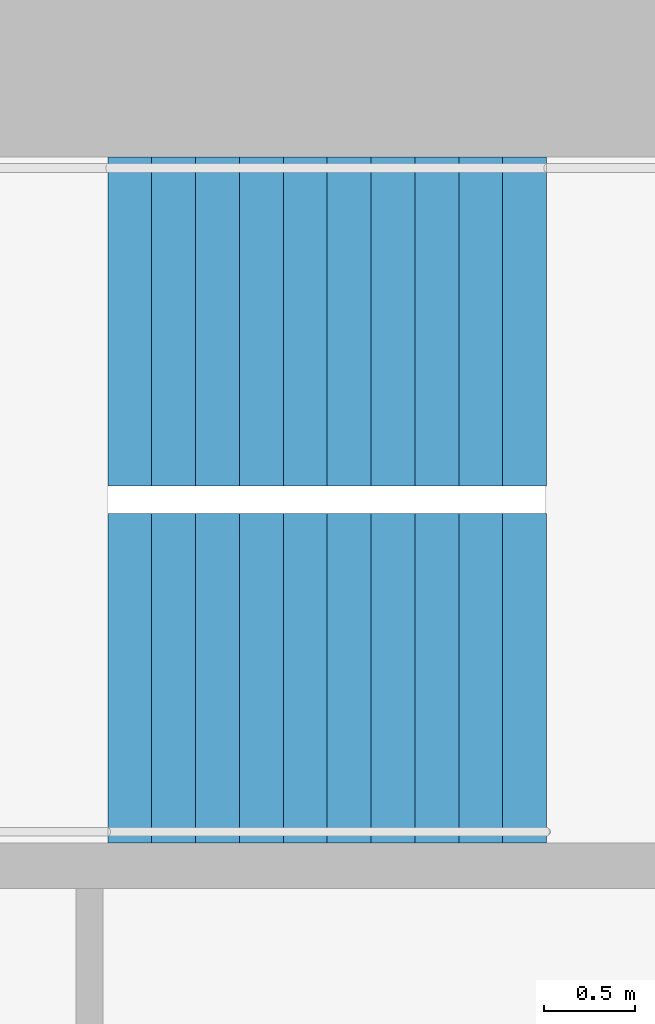
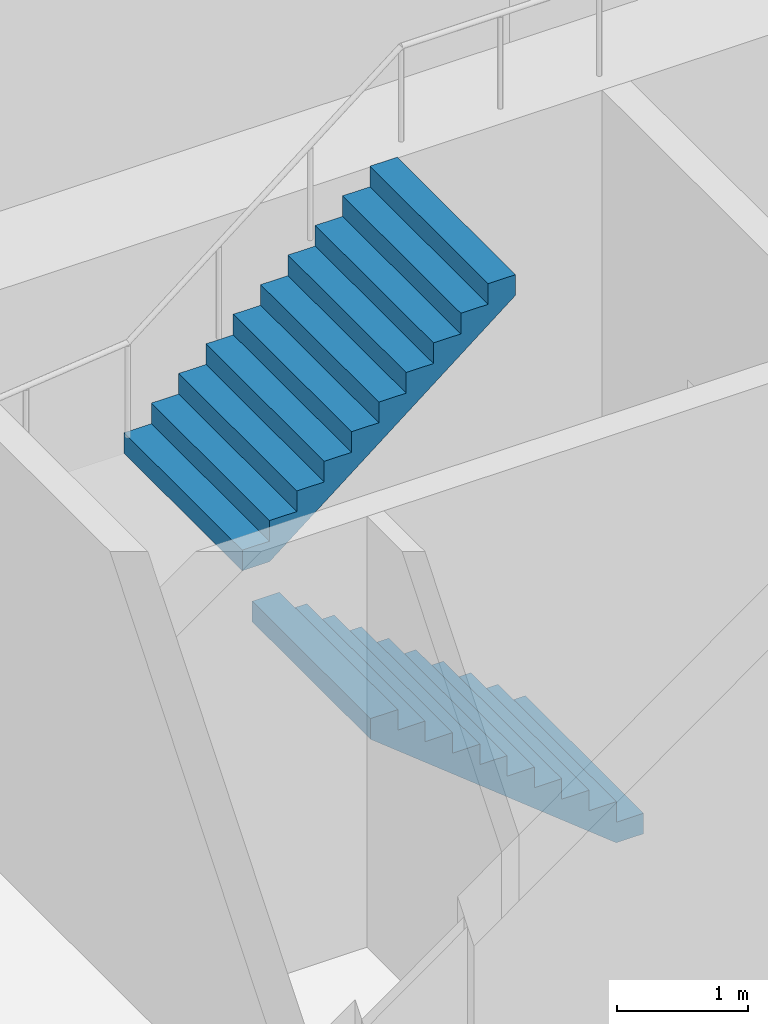
# One storey, part 27 of 28: 2 stair flights, 1 element without a shape of its own.
"""IFC4 building model written with IfcOpenShell, lengths in metres."""

import ifcopenshell
import ifcopenshell.guid

model = None  # the IFC model being written
_history = None  # IfcOwnerHistory: only IFC2X3 demands one
_inside = {}  # id of a spatial element -> (the spatial element, [elements in it])
_under = {}  # id of a project, library or spatial element -> (it, [spatial elements below it])
_declared = {}  # id of a project -> (the project, [libraries it declares])
_typed = {}  # id of a type object -> (the type object, [elements of that type])
_made_of = {}  # id of a material, layer set ... -> (it, [elements and type objects made of it])


def new_model(schema):
    """Start an empty IFC model of exactly this schema.

    Asked for "IFC4X3", IfcOpenShell would pick the latest addendum, in which some entities
    have other attributes; the version numbers below select the first issue.
    IFC2X3 requires an IfcOwnerHistory on every rooted entity: one is made here for all.
    """
    global model, _history
    if schema == "IFC4X3":
        model = ifcopenshell.file(schema_version=(4, 3, 0, 0))
    else:
        model = ifcopenshell.file(schema=schema)
    _inside.clear()
    _under.clear()
    _declared.clear()
    _typed.clear()
    _made_of.clear()
    _history = None
    if model.schema == "IFC2X3":
        org = make("IfcOrganization", Name="unknown")
        user = make(
            "IfcPersonAndOrganization",
            ThePerson=make("IfcPerson", FamilyName="unknown"),
            TheOrganization=org,
        )
        app = make(
            "IfcApplication",
            ApplicationDeveloper=org,
            Version="unknown",
            ApplicationFullName="unknown",
            ApplicationIdentifier="unknown",
        )
        _history = make(
            "IfcOwnerHistory",
            OwningUser=user,
            OwningApplication=app,
            ChangeAction="ADDED",
            CreationDate=0,
        )
    return model


def make(cls, **values):
    """One entity of the class cls with the attributes given. An attribute that is None is left unset."""
    return model.create_entity(
        cls, **{name: value for name, value in values.items() if value is not None}
    )


def rooted(cls, **values):
    """An entity with a GlobalId (a new one), such as an element, a storey or a relation."""
    return make(cls, GlobalId=ifcopenshell.guid.new(), OwnerHistory=_history, **values)


def si_unit(unit_type, name, prefix=None):
    """IfcSIUnit, for example si_unit("LENGTHUNIT", "METRE", prefix="MILLI")."""
    return make("IfcSIUnit", UnitType=unit_type, Prefix=prefix, Name=name)


def assignment(units):
    """IfcUnitAssignment: the units of a project."""
    return None if units is None else make("IfcUnitAssignment", Units=units)


def point(xyz):
    """IfcCartesianPoint."""
    return None if xyz is None else make("IfcCartesianPoint", Coordinates=xyz)


def direction(xyz):
    """IfcDirection."""
    return None if xyz is None else make("IfcDirection", DirectionRatios=xyz)


def frame(location, z_axis=None, x_axis=None):
    """IfcAxis2Placement3D, a coordinate frame: its origin and axes. An axis left out is left unset."""
    return make(
        "IfcAxis2Placement3D",
        Location=point(location),
        Axis=direction(z_axis),
        RefDirection=direction(x_axis),
    )


def origin():
    """The frame at (0, 0, 0) with its axes left unset."""
    return frame((0.0, 0.0, 0.0))


def place(relative_to, where):
    """IfcLocalPlacement: puts the frame where relative to a parent placement (None: the world)."""
    return make(
        "IfcLocalPlacement", PlacementRelTo=relative_to, RelativePlacement=where
    )


def context(
    kind, dimensions, precision=None, world=None, true_north=None, identifier=None
):
    """IfcGeometricRepresentationContext, for example the 3D "Model" context."""
    return make(
        "IfcGeometricRepresentationContext",
        ContextIdentifier=identifier,
        ContextType=kind,
        CoordinateSpaceDimension=dimensions,
        Precision=precision,
        WorldCoordinateSystem=world,
        TrueNorth=true_north,
    )


def subcontext(parent, identifier, kind, view, scale=None):
    """IfcGeometricRepresentationSubContext, for example "Body" below "Model"."""
    return make(
        "IfcGeometricRepresentationSubContext",
        ContextIdentifier=identifier,
        ContextType=kind,
        ParentContext=parent,
        TargetScale=scale,
        TargetView=view,
    )


def project(units=None, contexts=None):
    """IfcProject with its units and contexts."""
    return rooted(
        "IfcProject",
        Name="project",
        RepresentationContexts=contexts,
        UnitsInContext=assignment(units),
    )


def spatial(cls, under=None, at=None, **own):
    """A site, building, storey or space (cls), placed at a placement, below another one or the project."""
    s = rooted(cls, ObjectPlacement=at, **own)
    if under is not None:
        _under.setdefault(under.id(), (under, []))[1].append(s)
    return s


def point_list(points):
    """IfcCartesianPointList2D or 3D."""
    cls = (
        "IfcCartesianPointList2D" if len(points[0]) == 2 else "IfcCartesianPointList3D"
    )
    return make(cls, CoordList=points)


def triangles(points, corners, closed=None, point_numbers=None):
    """IfcTriangulatedFaceSet: each triangle names its three corners, points numbered from 1."""
    return make(
        "IfcTriangulatedFaceSet",
        Coordinates=point_list(points),
        Closed=closed,
        CoordIndex=corners,
        PnIndex=point_numbers,
    )


def shape(context_of_items, identifier, shape_type, items):
    """IfcShapeRepresentation: the items that make up one representation, for example the "Body"."""
    return make(
        "IfcShapeRepresentation",
        ContextOfItems=context_of_items,
        RepresentationIdentifier=identifier,
        RepresentationType=shape_type,
        Items=items,
    )


def material(Name=None, Category=None):
    """IfcMaterial."""
    return make("IfcMaterial", Name=Name, Category=Category)


def made_of(thing, what):
    """Note that an element or type object is made of a material, layer set ...; save() writes the relation."""
    if what is not None:
        _made_of.setdefault(what.id(), (what, []))[1].append(thing)
    return thing


def type_object(cls, material=None, **own):
    """A type object (cls), such as IfcWallType, which elements share."""
    return made_of(rooted(cls, **own), material)


def element(
    cls,
    number,
    at=None,
    inside=None,
    cuts=None,
    type_object=None,
    material=None,
    context=None,
    identifier="Body",
    shape_type=None,
    held_by="IfcProductDefinitionShape",
    body=None,
    shapes=None,
    **own,
):
    """One element of the class cls, such as IfcWall. Its Tag is "e" and its number.

    at: its placement. inside: the storey or other place that contains it. cuts: it is an
    opening in that element (IfcRelVoidsElement). A single representation is given by context,
    identifier, shape_type and body (its items); several are given by shapes. held_by: the class
    of the entity that holds the representations. save() writes the other relations.
    """
    e = rooted(cls, Tag="e%d" % number, ObjectPlacement=at, **own)
    if body is not None:
        shapes = [shape(context, identifier, shape_type, body)]
    if shapes is not None:
        e.Representation = make(held_by, Representations=shapes)
    if inside is not None:
        _inside.setdefault(inside.id(), (inside, []))[1].append(e)
    if cuts is not None:
        rooted(
            "IfcRelVoidsElement", RelatingBuildingElement=cuts, RelatedOpeningElement=e
        )
    if type_object is not None:
        _typed.setdefault(type_object.id(), (type_object, []))[1].append(e)
    return made_of(e, material)


def aggregate(whole, parts):
    """IfcRelAggregates: a whole, such as a stair, and the parts it consists of."""
    return rooted("IfcRelAggregates", RelatingObject=whole, RelatedObjects=parts)


def save(model, path):
    """Write the relations noted so far, then the file.

    IfcRelAggregates (storeys below a building ...), IfcRelContainedInSpatialStructure (elements
    in a storey), IfcRelDefinesByType, IfcRelAssociatesMaterial and IfcRelDeclares: one each for
    every whole, place, type object, material and project.
    """
    for whole, parts in _under.values():
        aggregate(whole, parts)
    for where, things in _inside.values():
        rooted(
            "IfcRelContainedInSpatialStructure",
            RelatedElements=things,
            RelatingStructure=where,
        )
    for kind, things in _typed.values():
        rooted("IfcRelDefinesByType", RelatedObjects=things, RelatingType=kind)
    for what, things in _made_of.values():
        rooted("IfcRelAssociatesMaterial", RelatedObjects=things, RelatingMaterial=what)
    for by, libraries in _declared.values():
        rooted("IfcRelDeclares", RelatingContext=by, RelatedDefinitions=libraries)
    model.write(path)


model = new_model("IFC4")

# Units and contexts
model_context = context("Model", 3, precision=1e-05, world=origin(), true_north=direction((0.0, 1.0)))
body_context = subcontext(model_context, "Body", "Model", "MODEL_VIEW")
ifc_project = project(units=[si_unit("LENGTHUNIT", "METRE"), si_unit("AREAUNIT", "SQUARE_METRE"), si_unit("VOLUMEUNIT", "CUBIC_METRE"), si_unit("PLANEANGLEUNIT", "RADIAN"), si_unit("MASSUNIT", "GRAM", prefix="KILO")], contexts=[model_context])

# Site, building, storey
site_placement = place(None, origin())
site = spatial("IfcSite", under=ifc_project, at=site_placement, CompositionType="ELEMENT")
building_placement = place(site_placement, origin())
building = spatial("IfcBuilding", under=site, at=building_placement, Name="Hakoniwa Tower and Hamabe Station Hall", CompositionType="ELEMENT")
storey_placement = place(building_placement, frame((0.0, 0.0, 280.800048828125)))
storey = spatial("IfcBuildingStorey", under=building, at=storey_placement, Name="L78", CompositionType="ELEMENT", Elevation=280.800048828125)

# Stair, stair flights
ifc_material_1 = material(Name="Concrete C40", Category="concrete")
stair_type = type_object("IfcStairType", Name="ESCAPE STAIR 1800", PredefinedType="HALF_TURN_STAIR", material=ifc_material_1)
stair_placement = place(storey_placement, origin())
stair = element("IfcStair", 1, at=stair_placement, inside=storey, type_object=stair_type, Name="Escape stair ST-3 L78", PredefinedType="HALF_TURN_STAIR")
ifc_material_2 = material(Name="Concrete C40", Category="concrete")
stair_flight_type = type_object("IfcStairFlightType", Name="STAIR FLIGHT 1800", PredefinedType="STRAIGHT", material=ifc_material_2)
stair_flight_1_placement = place(storey_placement, frame((24.39990234375, 4.64990234375, 0.0), z_axis=(0.0, 0.0, 1.0), x_axis=(-1.0, 0.0, 0.0)))
stair_flight_1 = element("IfcStairFlight", 2, at=stair_flight_1_placement, type_object=stair_flight_type, Name="ST-3 flight 1", NumberOfRisers=11, NumberOfTreads=10, PredefinedType="STRAIGHT", RiserHeight=0.190909091, TreadLength=0.24, context=body_context, shape_type="Tessellation", body=[
    triangles([(0.0, 0.89990234375, 0.0), (0.239990234375, 0.89990234375, 0.0), (0.24072265625, 0.89990234375, 0.0), (0.47998046875, 0.89990234375, 0.190185546875), (0.719970703125, 0.89990234375, 0.381103515625), (0.9599609375, 0.89990234375, 0.572021484375), (1.199951171875, 0.89990234375, 0.762939453125), (1.43994140625, 0.89990234375, 0.953857421875), (1.679931640625, 0.89990234375, 1.144775390625), (1.919921875, 0.89990234375, 1.335693359375), (2.159912109375, 0.89990234375, 1.526611328125), (2.39990234375, 0.89990234375, 1.717529296875), (2.39990234375, 0.89990234375, 1.9091796875), (2.159912109375, 0.89990234375, 1.9091796875), (2.159912109375, 0.89990234375, 1.71826171875), (1.919921875, 0.89990234375, 1.71826171875), (1.919921875, 0.89990234375, 1.52734375), (1.679931640625, 0.89990234375, 1.52734375), (1.679931640625, 0.89990234375, 1.33642578125), (1.43994140625, 0.89990234375, 1.33642578125), (1.43994140625, 0.89990234375, 1.1455078125), (1.199951171875, 0.89990234375, 1.1455078125), (1.199951171875, 0.89990234375, 0.95458984375), (0.9599609375, 0.89990234375, 0.95458984375), (0.9599609375, 0.89990234375, 0.763671875), (0.719970703125, 0.89990234375, 0.763671875), (0.719970703125, 0.89990234375, 0.57275390625), (0.47998046875, 0.89990234375, 0.57275390625), (0.47998046875, 0.89990234375, 0.3818359375), (0.24072265625, 0.89990234375, 0.3818359375), (0.239990234375, 0.89990234375, 0.3818359375), (0.239990234375, 0.89990234375, 0.19091796875), (0.0, 0.89990234375, 0.19091796875), (0.0, 0.06005859375, 0.0), (0.239990234375, 0.06005859375, 0.0), (0.24072265625, 0.06005859375, 0.0), (0.47998046875, 0.06005859375, 0.190185546875), (0.719970703125, 0.06005859375, 0.381103515625), (0.9599609375, 0.06005859375, 0.572021484375), (1.199951171875, 0.06005859375, 0.762939453125), (1.43994140625, 0.06005859375, 0.953857421875), (1.679931640625, 0.06005859375, 1.144775390625), (1.919921875, 0.06005859375, 1.335693359375), (2.159912109375, 0.06005859375, 1.526611328125), (2.39990234375, 0.06005859375, 1.717529296875), (2.39990234375, 0.06005859375, 1.9091796875), (2.159912109375, 0.06005859375, 1.9091796875), (2.159912109375, 0.06005859375, 1.71826171875), (1.919921875, 0.06005859375, 1.71826171875), (1.919921875, 0.06005859375, 1.52734375), (1.679931640625, 0.06005859375, 1.52734375), (1.679931640625, 0.06005859375, 1.33642578125), (1.43994140625, 0.06005859375, 1.33642578125), (1.43994140625, 0.06005859375, 1.1455078125), (1.199951171875, 0.06005859375, 1.1455078125), (1.199951171875, 0.06005859375, 0.95458984375), (0.9599609375, 0.06005859375, 0.95458984375), (0.9599609375, 0.06005859375, 0.763671875), (0.719970703125, 0.06005859375, 0.763671875), (0.719970703125, 0.06005859375, 0.57275390625), (0.47998046875, 0.06005859375, 0.57275390625), (0.47998046875, 0.06005859375, 0.3818359375), (0.24072265625, 0.06005859375, 0.3818359375), (0.239990234375, 0.06005859375, 0.3818359375), (0.239990234375, 0.06005859375, 0.19091796875), (0.0, 0.06005859375, 0.19091796875), (0.0, 0.02001953125, 0.0), (0.239990234375, 0.02001953125, 0.0), (0.24072265625, 0.02001953125, 0.0), (0.47998046875, 0.02001953125, 0.190185546875), (0.719970703125, 0.02001953125, 0.381103515625), (0.9599609375, 0.02001953125, 0.572021484375), (1.199951171875, 0.02001953125, 0.762939453125), (1.43994140625, 0.02001953125, 0.953857421875), (1.679931640625, 0.02001953125, 1.144775390625), (1.919921875, 0.02001953125, 1.335693359375), (2.159912109375, 0.02001953125, 1.526611328125), (2.39990234375, 0.02001953125, 1.717529296875), (2.39990234375, 0.02001953125, 1.9091796875), (2.159912109375, 0.02001953125, 1.9091796875), (2.159912109375, 0.02001953125, 1.71826171875), (1.919921875, 0.02001953125, 1.71826171875), (1.919921875, 0.02001953125, 1.52734375), (1.679931640625, 0.02001953125, 1.52734375), (1.679931640625, 0.02001953125, 1.33642578125), (1.43994140625, 0.02001953125, 1.33642578125), (1.43994140625, 0.02001953125, 1.1455078125), (1.199951171875, 0.02001953125, 1.1455078125), (1.199951171875, 0.02001953125, 0.95458984375), (0.9599609375, 0.02001953125, 0.95458984375), (0.9599609375, 0.02001953125, 0.763671875), (0.719970703125, 0.02001953125, 0.763671875), (0.719970703125, 0.02001953125, 0.57275390625), (0.47998046875, 0.02001953125, 0.57275390625), (0.47998046875, 0.02001953125, 0.3818359375), (0.24072265625, 0.02001953125, 0.3818359375), (0.239990234375, 0.02001953125, 0.3818359375), (0.239990234375, 0.02001953125, 0.19091796875), (0.0, 0.02001953125, 0.19091796875), (0.0, -0.02001953125, 0.0), (0.239990234375, -0.02001953125, 0.0), (0.24072265625, -0.02001953125, 0.0), (0.47998046875, -0.02001953125, 0.190185546875), (0.719970703125, -0.02001953125, 0.381103515625), (0.9599609375, -0.02001953125, 0.572021484375), (1.199951171875, -0.02001953125, 0.762939453125), (1.43994140625, -0.02001953125, 0.953857421875), (1.679931640625, -0.02001953125, 1.144775390625), (1.919921875, -0.02001953125, 1.335693359375), (2.159912109375, -0.02001953125, 1.526611328125), (2.39990234375, -0.02001953125, 1.717529296875), (2.39990234375, -0.02001953125, 1.9091796875), (2.159912109375, -0.02001953125, 1.9091796875), (2.159912109375, -0.02001953125, 1.71826171875), (1.919921875, -0.02001953125, 1.71826171875), (1.919921875, -0.02001953125, 1.52734375), (1.679931640625, -0.02001953125, 1.52734375), (1.679931640625, -0.02001953125, 1.33642578125), (1.43994140625, -0.02001953125, 1.33642578125), (1.43994140625, -0.02001953125, 1.1455078125), (1.199951171875, -0.02001953125, 1.1455078125), (1.199951171875, -0.02001953125, 0.95458984375), (0.9599609375, -0.02001953125, 0.95458984375), (0.9599609375, -0.02001953125, 0.763671875), (0.719970703125, -0.02001953125, 0.763671875), (0.719970703125, -0.02001953125, 0.57275390625), (0.47998046875, -0.02001953125, 0.57275390625), (0.47998046875, -0.02001953125, 0.3818359375), (0.24072265625, -0.02001953125, 0.3818359375), (0.239990234375, -0.02001953125, 0.3818359375), (0.239990234375, -0.02001953125, 0.19091796875), (0.0, -0.02001953125, 0.19091796875), (0.0, -0.06005859375, 0.0), (0.239990234375, -0.06005859375, 0.0), (0.24072265625, -0.06005859375, 0.0), (0.47998046875, -0.06005859375, 0.190185546875), (0.719970703125, -0.06005859375, 0.381103515625), (0.9599609375, -0.06005859375, 0.572021484375), (1.199951171875, -0.06005859375, 0.762939453125), (1.43994140625, -0.06005859375, 0.953857421875), (1.679931640625, -0.06005859375, 1.144775390625), (1.919921875, -0.06005859375, 1.335693359375), (2.159912109375, -0.06005859375, 1.526611328125), (2.39990234375, -0.06005859375, 1.717529296875), (2.39990234375, -0.06005859375, 1.9091796875), (2.159912109375, -0.06005859375, 1.9091796875), (2.159912109375, -0.06005859375, 1.71826171875), (1.919921875, -0.06005859375, 1.71826171875), (1.919921875, -0.06005859375, 1.52734375), (1.679931640625, -0.06005859375, 1.52734375), (1.679931640625, -0.06005859375, 1.33642578125), (1.43994140625, -0.06005859375, 1.33642578125), (1.43994140625, -0.06005859375, 1.1455078125), (1.199951171875, -0.06005859375, 1.1455078125), (1.199951171875, -0.06005859375, 0.95458984375), (0.9599609375, -0.06005859375, 0.95458984375), (0.9599609375, -0.06005859375, 0.763671875), (0.719970703125, -0.06005859375, 0.763671875), (0.719970703125, -0.06005859375, 0.57275390625), (0.47998046875, -0.06005859375, 0.57275390625), (0.47998046875, -0.06005859375, 0.3818359375), (0.24072265625, -0.06005859375, 0.3818359375), (0.239990234375, -0.06005859375, 0.3818359375), (0.239990234375, -0.06005859375, 0.19091796875), (0.0, -0.06005859375, 0.19091796875), (0.0, -0.89990234375, 0.0), (0.239990234375, -0.89990234375, 0.0), (0.24072265625, -0.89990234375, 0.0), (0.47998046875, -0.89990234375, 0.190185546875), (0.719970703125, -0.89990234375, 0.381103515625), (0.9599609375, -0.89990234375, 0.572021484375), (1.199951171875, -0.89990234375, 0.762939453125), (1.43994140625, -0.89990234375, 0.953857421875), (1.679931640625, -0.89990234375, 1.144775390625), (1.919921875, -0.89990234375, 1.335693359375), (2.159912109375, -0.89990234375, 1.526611328125), (2.39990234375, -0.89990234375, 1.717529296875), (2.39990234375, -0.89990234375, 1.9091796875), (2.159912109375, -0.89990234375, 1.9091796875), (2.159912109375, -0.89990234375, 1.71826171875), (1.919921875, -0.89990234375, 1.71826171875), (1.919921875, -0.89990234375, 1.52734375), (1.679931640625, -0.89990234375, 1.52734375), (1.679931640625, -0.89990234375, 1.33642578125), (1.43994140625, -0.89990234375, 1.33642578125), (1.43994140625, -0.89990234375, 1.1455078125), (1.199951171875, -0.89990234375, 1.1455078125), (1.199951171875, -0.89990234375, 0.95458984375), (0.9599609375, -0.89990234375, 0.95458984375), (0.9599609375, -0.89990234375, 0.763671875), (0.719970703125, -0.89990234375, 0.763671875), (0.719970703125, -0.89990234375, 0.57275390625), (0.47998046875, -0.89990234375, 0.57275390625), (0.47998046875, -0.89990234375, 0.3818359375), (0.24072265625, -0.89990234375, 0.3818359375), (0.239990234375, -0.89990234375, 0.3818359375), (0.239990234375, -0.89990234375, 0.19091796875), (0.0, -0.89990234375, 0.19091796875)], [[2, 33, 32], [167, 197, 198], [2, 1, 33], [167, 198, 166], [3, 31, 30], [168, 195, 196], [3, 32, 31], [168, 196, 197], [3, 2, 32], [168, 197, 167], [4, 30, 29], [169, 194, 195], [4, 3, 30], [169, 195, 168], [5, 28, 27], [170, 192, 193], [5, 29, 28], [170, 193, 194], [5, 4, 29], [170, 194, 169], [6, 26, 25], [171, 190, 191], [6, 27, 26], [171, 191, 192], [6, 5, 27], [171, 192, 170], [7, 24, 23], [172, 188, 189], [7, 25, 24], [172, 189, 190], [7, 6, 25], [172, 190, 171], [8, 22, 21], [173, 186, 187], [8, 23, 22], [173, 187, 188], [8, 7, 23], [173, 188, 172], [9, 20, 19], [174, 184, 185], [9, 21, 20], [174, 185, 186], [9, 8, 21], [174, 186, 173], [10, 18, 17], [175, 182, 183], [10, 19, 18], [175, 183, 184], [10, 9, 19], [175, 184, 174], [11, 16, 15], [176, 180, 181], [11, 17, 16], [176, 181, 182], [11, 10, 17], [176, 182, 175], [12, 14, 13], [177, 178, 179], [12, 15, 14], [177, 179, 180], [12, 11, 15], [177, 180, 176], [1, 2, 35], [1, 35, 34], [34, 35, 68], [34, 68, 67], [67, 68, 101], [67, 101, 100], [100, 101, 134], [100, 134, 133], [133, 134, 167], [133, 167, 166], [2, 3, 36], [2, 36, 35], [35, 36, 69], [35, 69, 68], [68, 69, 102], [68, 102, 101], [101, 102, 135], [101, 135, 134], [134, 135, 168], [134, 168, 167], [3, 4, 37], [3, 37, 36], [36, 37, 70], [36, 70, 69], [69, 70, 103], [69, 103, 102], [102, 103, 136], [102, 136, 135], [135, 136, 169], [135, 169, 168], [4, 5, 38], [4, 38, 37], [37, 38, 71], [37, 71, 70], [70, 71, 104], [70, 104, 103], [103, 104, 137], [103, 137, 136], [136, 137, 170], [136, 170, 169], [5, 6, 39], [5, 39, 38], [38, 39, 72], [38, 72, 71], [71, 72, 105], [71, 105, 104], [104, 105, 138], [104, 138, 137], [137, 138, 171], [137, 171, 170], [6, 7, 40], [6, 40, 39], [39, 40, 73], [39, 73, 72], [72, 73, 106], [72, 106, 105], [105, 106, 139], [105, 139, 138], [138, 139, 172], [138, 172, 171], [7, 8, 41], [7, 41, 40], [40, 41, 74], [40, 74, 73], [73, 74, 107], [73, 107, 106], [106, 107, 140], [106, 140, 139], [139, 140, 173], [139, 173, 172], [8, 9, 42], [8, 42, 41], [41, 42, 75], [41, 75, 74], [74, 75, 108], [74, 108, 107], [107, 108, 141], [107, 141, 140], [140, 141, 174], [140, 174, 173], [9, 10, 43], [9, 43, 42], [42, 43, 76], [42, 76, 75], [75, 76, 109], [75, 109, 108], [108, 109, 142], [108, 142, 141], [141, 142, 175], [141, 175, 174], [10, 11, 44], [10, 44, 43], [43, 44, 77], [43, 77, 76], [76, 77, 110], [76, 110, 109], [109, 110, 143], [109, 143, 142], [142, 143, 176], [142, 176, 175], [11, 12, 45], [11, 45, 44], [44, 45, 78], [44, 78, 77], [77, 78, 111], [77, 111, 110], [110, 111, 144], [110, 144, 143], [143, 144, 177], [143, 177, 176], [12, 13, 46], [12, 46, 45], [45, 46, 79], [45, 79, 78], [78, 79, 112], [78, 112, 111], [111, 112, 145], [111, 145, 144], [144, 145, 178], [144, 178, 177], [13, 14, 47], [13, 47, 46], [46, 47, 80], [46, 80, 79], [79, 80, 113], [79, 113, 112], [112, 113, 146], [112, 146, 145], [145, 146, 179], [145, 179, 178], [14, 15, 48], [14, 48, 47], [47, 48, 81], [47, 81, 80], [80, 81, 114], [80, 114, 113], [113, 114, 147], [113, 147, 146], [146, 147, 180], [146, 180, 179], [15, 16, 49], [15, 49, 48], [48, 49, 82], [48, 82, 81], [81, 82, 115], [81, 115, 114], [114, 115, 148], [114, 148, 147], [147, 148, 181], [147, 181, 180], [16, 17, 50], [16, 50, 49], [49, 50, 83], [49, 83, 82], [82, 83, 116], [82, 116, 115], [115, 116, 149], [115, 149, 148], [148, 149, 182], [148, 182, 181], [17, 18, 51], [17, 51, 50], [50, 51, 84], [50, 84, 83], [83, 84, 117], [83, 117, 116], [116, 117, 150], [116, 150, 149], [149, 150, 183], [149, 183, 182], [18, 19, 52], [18, 52, 51], [51, 52, 85], [51, 85, 84], [84, 85, 118], [84, 118, 117], [117, 118, 151], [117, 151, 150], [150, 151, 184], [150, 184, 183], [19, 20, 53], [19, 53, 52], [52, 53, 86], [52, 86, 85], [85, 86, 119], [85, 119, 118], [118, 119, 152], [118, 152, 151], [151, 152, 185], [151, 185, 184], [20, 21, 54], [20, 54, 53], [53, 54, 87], [53, 87, 86], [86, 87, 120], [86, 120, 119], [119, 120, 153], [119, 153, 152], [152, 153, 186], [152, 186, 185], [21, 22, 55], [21, 55, 54], [54, 55, 88], [54, 88, 87], [87, 88, 121], [87, 121, 120], [120, 121, 154], [120, 154, 153], [153, 154, 187], [153, 187, 186], [22, 23, 56], [22, 56, 55], [55, 56, 89], [55, 89, 88], [88, 89, 122], [88, 122, 121], [121, 122, 155], [121, 155, 154], [154, 155, 188], [154, 188, 187], [23, 24, 57], [23, 57, 56], [56, 57, 90], [56, 90, 89], [89, 90, 123], [89, 123, 122], [122, 123, 156], [122, 156, 155], [155, 156, 189], [155, 189, 188], [24, 25, 58], [24, 58, 57], [57, 58, 91], [57, 91, 90], [90, 91, 124], [90, 124, 123], [123, 124, 157], [123, 157, 156], [156, 157, 190], [156, 190, 189], [25, 26, 59], [25, 59, 58], [58, 59, 92], [58, 92, 91], [91, 92, 125], [91, 125, 124], [124, 125, 158], [124, 158, 157], [157, 158, 191], [157, 191, 190], [26, 27, 60], [26, 60, 59], [59, 60, 93], [59, 93, 92], [92, 93, 126], [92, 126, 125], [125, 126, 159], [125, 159, 158], [158, 159, 192], [158, 192, 191], [27, 28, 61], [27, 61, 60], [60, 61, 94], [60, 94, 93], [93, 94, 127], [93, 127, 126], [126, 127, 160], [126, 160, 159], [159, 160, 193], [159, 193, 192], [28, 29, 62], [28, 62, 61], [61, 62, 95], [61, 95, 94], [94, 95, 128], [94, 128, 127], [127, 128, 161], [127, 161, 160], [160, 161, 194], [160, 194, 193], [29, 30, 63], [29, 63, 62], [62, 63, 96], [62, 96, 95], [95, 96, 129], [95, 129, 128], [128, 129, 162], [128, 162, 161], [161, 162, 195], [161, 195, 194], [30, 31, 64], [30, 64, 63], [63, 64, 97], [63, 97, 96], [96, 97, 130], [96, 130, 129], [129, 130, 163], [129, 163, 162], [162, 163, 196], [162, 196, 195], [31, 32, 65], [31, 65, 64], [64, 65, 98], [64, 98, 97], [97, 98, 131], [97, 131, 130], [130, 131, 164], [130, 164, 163], [163, 164, 197], [163, 197, 196], [32, 33, 66], [32, 66, 65], [65, 66, 99], [65, 99, 98], [98, 99, 132], [98, 132, 131], [131, 132, 165], [131, 165, 164], [164, 165, 198], [164, 198, 197], [33, 1, 34], [33, 34, 66], [66, 34, 67], [66, 67, 99], [99, 67, 100], [99, 100, 132], [132, 100, 133], [132, 133, 165], [165, 133, 166], [165, 166, 198]], closed=True),
])
stair_flight_2_placement = place(storey_placement, frame((22.0, 6.60009765625, 2.099853515625), z_axis=(0.0, 0.0, 1.0), x_axis=(1.0, 0.0, 0.0)))
stair_flight_2 = element("IfcStairFlight", 3, at=stair_flight_2_placement, type_object=stair_flight_type, Name="ST-3 flight 2", NumberOfRisers=11, NumberOfTreads=10, PredefinedType="STRAIGHT", RiserHeight=0.190909091, TreadLength=0.24, context=body_context, shape_type="Tessellation", body=[
    triangles([(0.0, 0.89990234375, 0.0), (0.239990234375, 0.89990234375, 0.0), (0.24072265625, 0.89990234375, 0.0), (0.47998046875, 0.89990234375, 0.190185546875), (0.719970703125, 0.89990234375, 0.381103515625), (0.9599609375, 0.89990234375, 0.572021484375), (1.199951171875, 0.89990234375, 0.762939453125), (1.43994140625, 0.89990234375, 0.953857421875), (1.679931640625, 0.89990234375, 1.144775390625), (1.919921875, 0.89990234375, 1.335693359375), (2.159912109375, 0.89990234375, 1.526611328125), (2.39990234375, 0.89990234375, 1.717529296875), (2.39990234375, 0.89990234375, 1.9091796875), (2.159912109375, 0.89990234375, 1.9091796875), (2.159912109375, 0.89990234375, 1.71826171875), (1.919921875, 0.89990234375, 1.71826171875), (1.919921875, 0.89990234375, 1.52734375), (1.679931640625, 0.89990234375, 1.52734375), (1.679931640625, 0.89990234375, 1.33642578125), (1.43994140625, 0.89990234375, 1.33642578125), (1.43994140625, 0.89990234375, 1.1455078125), (1.199951171875, 0.89990234375, 1.1455078125), (1.199951171875, 0.89990234375, 0.95458984375), (0.9599609375, 0.89990234375, 0.95458984375), (0.9599609375, 0.89990234375, 0.763671875), (0.719970703125, 0.89990234375, 0.763671875), (0.719970703125, 0.89990234375, 0.57275390625), (0.47998046875, 0.89990234375, 0.57275390625), (0.47998046875, 0.89990234375, 0.3818359375), (0.24072265625, 0.89990234375, 0.3818359375), (0.239990234375, 0.89990234375, 0.3818359375), (0.239990234375, 0.89990234375, 0.19091796875), (0.0, 0.89990234375, 0.19091796875), (0.0, 0.06005859375, 0.0), (0.239990234375, 0.06005859375, 0.0), (0.24072265625, 0.06005859375, 0.0), (0.47998046875, 0.06005859375, 0.190185546875), (0.719970703125, 0.06005859375, 0.381103515625), (0.9599609375, 0.06005859375, 0.572021484375), (1.199951171875, 0.06005859375, 0.762939453125), (1.43994140625, 0.06005859375, 0.953857421875), (1.679931640625, 0.06005859375, 1.144775390625), (1.919921875, 0.06005859375, 1.335693359375), (2.159912109375, 0.06005859375, 1.526611328125), (2.39990234375, 0.06005859375, 1.717529296875), (2.39990234375, 0.06005859375, 1.9091796875), (2.159912109375, 0.06005859375, 1.9091796875), (2.159912109375, 0.06005859375, 1.71826171875), (1.919921875, 0.06005859375, 1.71826171875), (1.919921875, 0.06005859375, 1.52734375), (1.679931640625, 0.06005859375, 1.52734375), (1.679931640625, 0.06005859375, 1.33642578125), (1.43994140625, 0.06005859375, 1.33642578125), (1.43994140625, 0.06005859375, 1.1455078125), (1.199951171875, 0.06005859375, 1.1455078125), (1.199951171875, 0.06005859375, 0.95458984375), (0.9599609375, 0.06005859375, 0.95458984375), (0.9599609375, 0.06005859375, 0.763671875), (0.719970703125, 0.06005859375, 0.763671875), (0.719970703125, 0.06005859375, 0.57275390625), (0.47998046875, 0.06005859375, 0.57275390625), (0.47998046875, 0.06005859375, 0.3818359375), (0.24072265625, 0.06005859375, 0.3818359375), (0.239990234375, 0.06005859375, 0.3818359375), (0.239990234375, 0.06005859375, 0.19091796875), (0.0, 0.06005859375, 0.19091796875), (0.0, 0.02001953125, 0.0), (0.239990234375, 0.02001953125, 0.0), (0.24072265625, 0.02001953125, 0.0), (0.47998046875, 0.02001953125, 0.190185546875), (0.719970703125, 0.02001953125, 0.381103515625), (0.9599609375, 0.02001953125, 0.572021484375), (1.199951171875, 0.02001953125, 0.762939453125), (1.43994140625, 0.02001953125, 0.953857421875), (1.679931640625, 0.02001953125, 1.144775390625), (1.919921875, 0.02001953125, 1.335693359375), (2.159912109375, 0.02001953125, 1.526611328125), (2.39990234375, 0.02001953125, 1.717529296875), (2.39990234375, 0.02001953125, 1.9091796875), (2.159912109375, 0.02001953125, 1.9091796875), (2.159912109375, 0.02001953125, 1.71826171875), (1.919921875, 0.02001953125, 1.71826171875), (1.919921875, 0.02001953125, 1.52734375), (1.679931640625, 0.02001953125, 1.52734375), (1.679931640625, 0.02001953125, 1.33642578125), (1.43994140625, 0.02001953125, 1.33642578125), (1.43994140625, 0.02001953125, 1.1455078125), (1.199951171875, 0.02001953125, 1.1455078125), (1.199951171875, 0.02001953125, 0.95458984375), (0.9599609375, 0.02001953125, 0.95458984375), (0.9599609375, 0.02001953125, 0.763671875), (0.719970703125, 0.02001953125, 0.763671875), (0.719970703125, 0.02001953125, 0.57275390625), (0.47998046875, 0.02001953125, 0.57275390625), (0.47998046875, 0.02001953125, 0.3818359375), (0.24072265625, 0.02001953125, 0.3818359375), (0.239990234375, 0.02001953125, 0.3818359375), (0.239990234375, 0.02001953125, 0.19091796875), (0.0, 0.02001953125, 0.19091796875), (0.0, -0.02001953125, 0.0), (0.239990234375, -0.02001953125, 0.0), (0.24072265625, -0.02001953125, 0.0), (0.47998046875, -0.02001953125, 0.190185546875), (0.719970703125, -0.02001953125, 0.381103515625), (0.9599609375, -0.02001953125, 0.572021484375), (1.199951171875, -0.02001953125, 0.762939453125), (1.43994140625, -0.02001953125, 0.953857421875), (1.679931640625, -0.02001953125, 1.144775390625), (1.919921875, -0.02001953125, 1.335693359375), (2.159912109375, -0.02001953125, 1.526611328125), (2.39990234375, -0.02001953125, 1.717529296875), (2.39990234375, -0.02001953125, 1.9091796875), (2.159912109375, -0.02001953125, 1.9091796875), (2.159912109375, -0.02001953125, 1.71826171875), (1.919921875, -0.02001953125, 1.71826171875), (1.919921875, -0.02001953125, 1.52734375), (1.679931640625, -0.02001953125, 1.52734375), (1.679931640625, -0.02001953125, 1.33642578125), (1.43994140625, -0.02001953125, 1.33642578125), (1.43994140625, -0.02001953125, 1.1455078125), (1.199951171875, -0.02001953125, 1.1455078125), (1.199951171875, -0.02001953125, 0.95458984375), (0.9599609375, -0.02001953125, 0.95458984375), (0.9599609375, -0.02001953125, 0.763671875), (0.719970703125, -0.02001953125, 0.763671875), (0.719970703125, -0.02001953125, 0.57275390625), (0.47998046875, -0.02001953125, 0.57275390625), (0.47998046875, -0.02001953125, 0.3818359375), (0.24072265625, -0.02001953125, 0.3818359375), (0.239990234375, -0.02001953125, 0.3818359375), (0.239990234375, -0.02001953125, 0.19091796875), (0.0, -0.02001953125, 0.19091796875), (0.0, -0.06005859375, 0.0), (0.239990234375, -0.06005859375, 0.0), (0.24072265625, -0.06005859375, 0.0), (0.47998046875, -0.06005859375, 0.190185546875), (0.719970703125, -0.06005859375, 0.381103515625), (0.9599609375, -0.06005859375, 0.572021484375), (1.199951171875, -0.06005859375, 0.762939453125), (1.43994140625, -0.06005859375, 0.953857421875), (1.679931640625, -0.06005859375, 1.144775390625), (1.919921875, -0.06005859375, 1.335693359375), (2.159912109375, -0.06005859375, 1.526611328125), (2.39990234375, -0.06005859375, 1.717529296875), (2.39990234375, -0.06005859375, 1.9091796875), (2.159912109375, -0.06005859375, 1.9091796875), (2.159912109375, -0.06005859375, 1.71826171875), (1.919921875, -0.06005859375, 1.71826171875), (1.919921875, -0.06005859375, 1.52734375), (1.679931640625, -0.06005859375, 1.52734375), (1.679931640625, -0.06005859375, 1.33642578125), (1.43994140625, -0.06005859375, 1.33642578125), (1.43994140625, -0.06005859375, 1.1455078125), (1.199951171875, -0.06005859375, 1.1455078125), (1.199951171875, -0.06005859375, 0.95458984375), (0.9599609375, -0.06005859375, 0.95458984375), (0.9599609375, -0.06005859375, 0.763671875), (0.719970703125, -0.06005859375, 0.763671875), (0.719970703125, -0.06005859375, 0.57275390625), (0.47998046875, -0.06005859375, 0.57275390625), (0.47998046875, -0.06005859375, 0.3818359375), (0.24072265625, -0.06005859375, 0.3818359375), (0.239990234375, -0.06005859375, 0.3818359375), (0.239990234375, -0.06005859375, 0.19091796875), (0.0, -0.06005859375, 0.19091796875), (0.0, -0.89990234375, 0.0), (0.239990234375, -0.89990234375, 0.0), (0.24072265625, -0.89990234375, 0.0), (0.47998046875, -0.89990234375, 0.190185546875), (0.719970703125, -0.89990234375, 0.381103515625), (0.9599609375, -0.89990234375, 0.572021484375), (1.199951171875, -0.89990234375, 0.762939453125), (1.43994140625, -0.89990234375, 0.953857421875), (1.679931640625, -0.89990234375, 1.144775390625), (1.919921875, -0.89990234375, 1.335693359375), (2.159912109375, -0.89990234375, 1.526611328125), (2.39990234375, -0.89990234375, 1.717529296875), (2.39990234375, -0.89990234375, 1.9091796875), (2.159912109375, -0.89990234375, 1.9091796875), (2.159912109375, -0.89990234375, 1.71826171875), (1.919921875, -0.89990234375, 1.71826171875), (1.919921875, -0.89990234375, 1.52734375), (1.679931640625, -0.89990234375, 1.52734375), (1.679931640625, -0.89990234375, 1.33642578125), (1.43994140625, -0.89990234375, 1.33642578125), (1.43994140625, -0.89990234375, 1.1455078125), (1.199951171875, -0.89990234375, 1.1455078125), (1.199951171875, -0.89990234375, 0.95458984375), (0.9599609375, -0.89990234375, 0.95458984375), (0.9599609375, -0.89990234375, 0.763671875), (0.719970703125, -0.89990234375, 0.763671875), (0.719970703125, -0.89990234375, 0.57275390625), (0.47998046875, -0.89990234375, 0.57275390625), (0.47998046875, -0.89990234375, 0.3818359375), (0.24072265625, -0.89990234375, 0.3818359375), (0.239990234375, -0.89990234375, 0.3818359375), (0.239990234375, -0.89990234375, 0.19091796875), (0.0, -0.89990234375, 0.19091796875)], [[2, 33, 32], [167, 197, 198], [2, 1, 33], [167, 198, 166], [3, 31, 30], [168, 195, 196], [3, 32, 31], [168, 196, 197], [3, 2, 32], [168, 197, 167], [4, 30, 29], [169, 194, 195], [4, 3, 30], [169, 195, 168], [5, 28, 27], [170, 192, 193], [5, 29, 28], [170, 193, 194], [5, 4, 29], [170, 194, 169], [6, 26, 25], [171, 190, 191], [6, 27, 26], [171, 191, 192], [6, 5, 27], [171, 192, 170], [7, 24, 23], [172, 188, 189], [7, 25, 24], [172, 189, 190], [7, 6, 25], [172, 190, 171], [8, 22, 21], [173, 186, 187], [8, 23, 22], [173, 187, 188], [8, 7, 23], [173, 188, 172], [9, 20, 19], [174, 184, 185], [9, 21, 20], [174, 185, 186], [9, 8, 21], [174, 186, 173], [10, 18, 17], [175, 182, 183], [10, 19, 18], [175, 183, 184], [10, 9, 19], [175, 184, 174], [11, 16, 15], [176, 180, 181], [11, 17, 16], [176, 181, 182], [11, 10, 17], [176, 182, 175], [12, 14, 13], [177, 178, 179], [12, 15, 14], [177, 179, 180], [12, 11, 15], [177, 180, 176], [1, 2, 35], [1, 35, 34], [34, 35, 68], [34, 68, 67], [67, 68, 101], [67, 101, 100], [100, 101, 134], [100, 134, 133], [133, 134, 167], [133, 167, 166], [2, 3, 36], [2, 36, 35], [35, 36, 69], [35, 69, 68], [68, 69, 102], [68, 102, 101], [101, 102, 135], [101, 135, 134], [134, 135, 168], [134, 168, 167], [3, 4, 37], [3, 37, 36], [36, 37, 70], [36, 70, 69], [69, 70, 103], [69, 103, 102], [102, 103, 136], [102, 136, 135], [135, 136, 169], [135, 169, 168], [4, 5, 38], [4, 38, 37], [37, 38, 71], [37, 71, 70], [70, 71, 104], [70, 104, 103], [103, 104, 137], [103, 137, 136], [136, 137, 170], [136, 170, 169], [5, 6, 39], [5, 39, 38], [38, 39, 72], [38, 72, 71], [71, 72, 105], [71, 105, 104], [104, 105, 138], [104, 138, 137], [137, 138, 171], [137, 171, 170], [6, 7, 40], [6, 40, 39], [39, 40, 73], [39, 73, 72], [72, 73, 106], [72, 106, 105], [105, 106, 139], [105, 139, 138], [138, 139, 172], [138, 172, 171], [7, 8, 41], [7, 41, 40], [40, 41, 74], [40, 74, 73], [73, 74, 107], [73, 107, 106], [106, 107, 140], [106, 140, 139], [139, 140, 173], [139, 173, 172], [8, 9, 42], [8, 42, 41], [41, 42, 75], [41, 75, 74], [74, 75, 108], [74, 108, 107], [107, 108, 141], [107, 141, 140], [140, 141, 174], [140, 174, 173], [9, 10, 43], [9, 43, 42], [42, 43, 76], [42, 76, 75], [75, 76, 109], [75, 109, 108], [108, 109, 142], [108, 142, 141], [141, 142, 175], [141, 175, 174], [10, 11, 44], [10, 44, 43], [43, 44, 77], [43, 77, 76], [76, 77, 110], [76, 110, 109], [109, 110, 143], [109, 143, 142], [142, 143, 176], [142, 176, 175], [11, 12, 45], [11, 45, 44], [44, 45, 78], [44, 78, 77], [77, 78, 111], [77, 111, 110], [110, 111, 144], [110, 144, 143], [143, 144, 177], [143, 177, 176], [12, 13, 46], [12, 46, 45], [45, 46, 79], [45, 79, 78], [78, 79, 112], [78, 112, 111], [111, 112, 145], [111, 145, 144], [144, 145, 178], [144, 178, 177], [13, 14, 47], [13, 47, 46], [46, 47, 80], [46, 80, 79], [79, 80, 113], [79, 113, 112], [112, 113, 146], [112, 146, 145], [145, 146, 179], [145, 179, 178], [14, 15, 48], [14, 48, 47], [47, 48, 81], [47, 81, 80], [80, 81, 114], [80, 114, 113], [113, 114, 147], [113, 147, 146], [146, 147, 180], [146, 180, 179], [15, 16, 49], [15, 49, 48], [48, 49, 82], [48, 82, 81], [81, 82, 115], [81, 115, 114], [114, 115, 148], [114, 148, 147], [147, 148, 181], [147, 181, 180], [16, 17, 50], [16, 50, 49], [49, 50, 83], [49, 83, 82], [82, 83, 116], [82, 116, 115], [115, 116, 149], [115, 149, 148], [148, 149, 182], [148, 182, 181], [17, 18, 51], [17, 51, 50], [50, 51, 84], [50, 84, 83], [83, 84, 117], [83, 117, 116], [116, 117, 150], [116, 150, 149], [149, 150, 183], [149, 183, 182], [18, 19, 52], [18, 52, 51], [51, 52, 85], [51, 85, 84], [84, 85, 118], [84, 118, 117], [117, 118, 151], [117, 151, 150], [150, 151, 184], [150, 184, 183], [19, 20, 53], [19, 53, 52], [52, 53, 86], [52, 86, 85], [85, 86, 119], [85, 119, 118], [118, 119, 152], [118, 152, 151], [151, 152, 185], [151, 185, 184], [20, 21, 54], [20, 54, 53], [53, 54, 87], [53, 87, 86], [86, 87, 120], [86, 120, 119], [119, 120, 153], [119, 153, 152], [152, 153, 186], [152, 186, 185], [21, 22, 55], [21, 55, 54], [54, 55, 88], [54, 88, 87], [87, 88, 121], [87, 121, 120], [120, 121, 154], [120, 154, 153], [153, 154, 187], [153, 187, 186], [22, 23, 56], [22, 56, 55], [55, 56, 89], [55, 89, 88], [88, 89, 122], [88, 122, 121], [121, 122, 155], [121, 155, 154], [154, 155, 188], [154, 188, 187], [23, 24, 57], [23, 57, 56], [56, 57, 90], [56, 90, 89], [89, 90, 123], [89, 123, 122], [122, 123, 156], [122, 156, 155], [155, 156, 189], [155, 189, 188], [24, 25, 58], [24, 58, 57], [57, 58, 91], [57, 91, 90], [90, 91, 124], [90, 124, 123], [123, 124, 157], [123, 157, 156], [156, 157, 190], [156, 190, 189], [25, 26, 59], [25, 59, 58], [58, 59, 92], [58, 92, 91], [91, 92, 125], [91, 125, 124], [124, 125, 158], [124, 158, 157], [157, 158, 191], [157, 191, 190], [26, 27, 60], [26, 60, 59], [59, 60, 93], [59, 93, 92], [92, 93, 126], [92, 126, 125], [125, 126, 159], [125, 159, 158], [158, 159, 192], [158, 192, 191], [27, 28, 61], [27, 61, 60], [60, 61, 94], [60, 94, 93], [93, 94, 127], [93, 127, 126], [126, 127, 160], [126, 160, 159], [159, 160, 193], [159, 193, 192], [28, 29, 62], [28, 62, 61], [61, 62, 95], [61, 95, 94], [94, 95, 128], [94, 128, 127], [127, 128, 161], [127, 161, 160], [160, 161, 194], [160, 194, 193], [29, 30, 63], [29, 63, 62], [62, 63, 96], [62, 96, 95], [95, 96, 129], [95, 129, 128], [128, 129, 162], [128, 162, 161], [161, 162, 195], [161, 195, 194], [30, 31, 64], [30, 64, 63], [63, 64, 97], [63, 97, 96], [96, 97, 130], [96, 130, 129], [129, 130, 163], [129, 163, 162], [162, 163, 196], [162, 196, 195], [31, 32, 65], [31, 65, 64], [64, 65, 98], [64, 98, 97], [97, 98, 131], [97, 131, 130], [130, 131, 164], [130, 164, 163], [163, 164, 197], [163, 197, 196], [32, 33, 66], [32, 66, 65], [65, 66, 99], [65, 99, 98], [98, 99, 132], [98, 132, 131], [131, 132, 165], [131, 165, 164], [164, 165, 198], [164, 198, 197], [33, 1, 34], [33, 34, 66], [66, 34, 67], [66, 67, 99], [99, 67, 100], [99, 100, 132], [132, 100, 133], [132, 133, 165], [165, 133, 166], [165, 166, 198]], closed=True),
])
aggregate(stair, [stair_flight_1, stair_flight_2])

save(model, "model.ifc")
